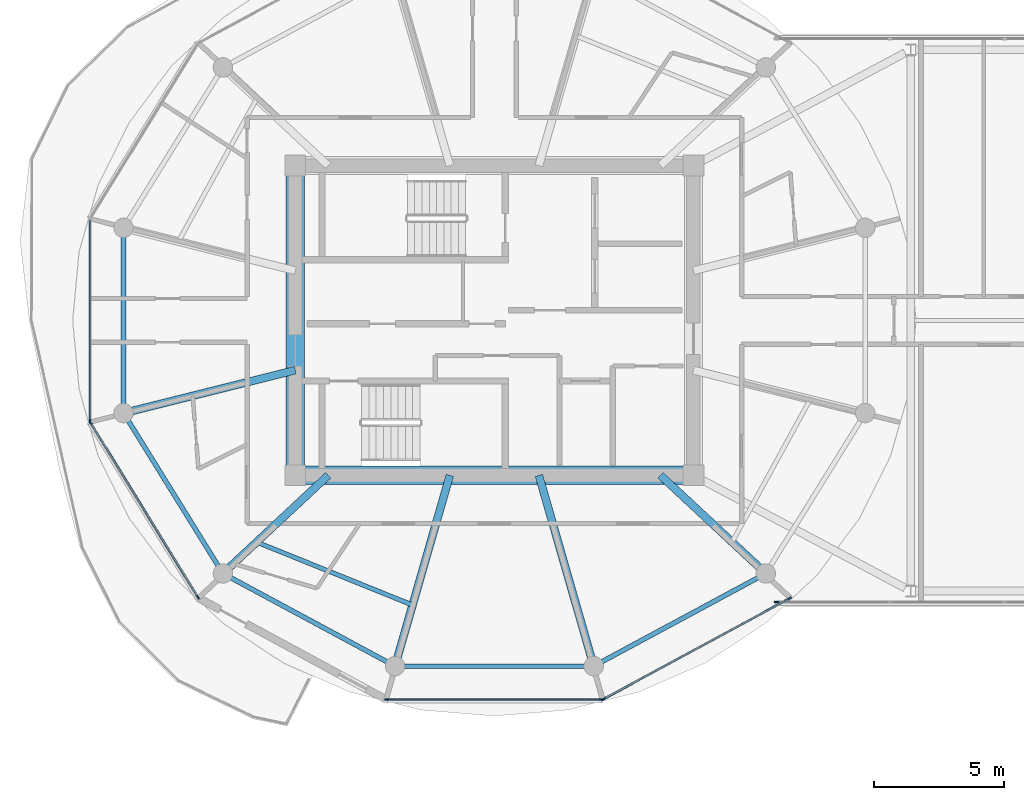
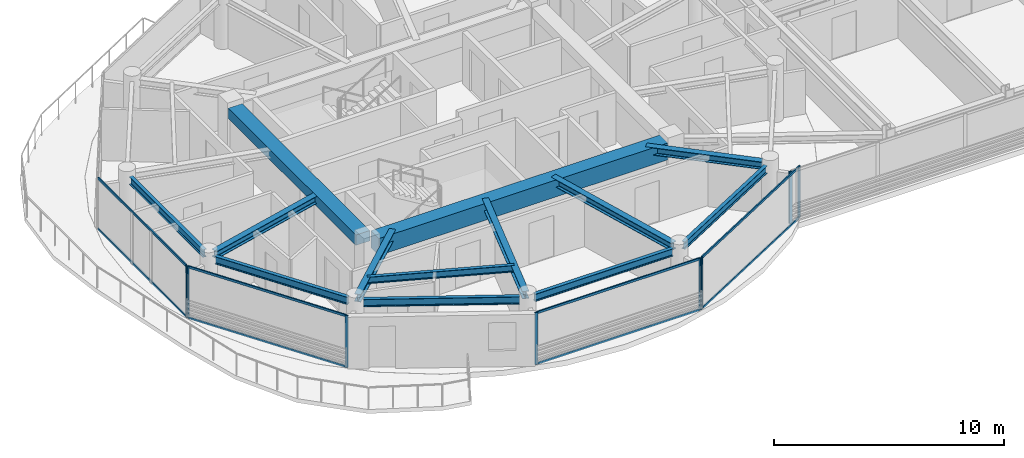
# One storey, part 3 of 24: 16 members, 13 beams, 5 elements without a shape of their own.
"""IFC4 building model written with IfcOpenShell, lengths in metres."""

from ifc_helpers import new_model, si_unit, direction, frame, origin, origin_2d, place, context, subcontext, project, spatial, rectangle, i_section, extrude, source, transform, mapped, material, layer, layer_set, material_profile, profile_set, type_object, type_shapes, element, aggregate, save


model = new_model("IFC4")

# Units and contexts
model_context = context("Model", 3, precision=1e-05, world=origin(), true_north=direction((0.0, 1.0)))
body_context = subcontext(model_context, "Body", "Model", "MODEL_VIEW")
ifc_project = project(units=[si_unit("LENGTHUNIT", "METRE"), si_unit("AREAUNIT", "SQUARE_METRE"), si_unit("VOLUMEUNIT", "CUBIC_METRE"), si_unit("PLANEANGLEUNIT", "RADIAN"), si_unit("MASSUNIT", "GRAM", prefix="KILO")], contexts=[model_context])

# Site, building, storey
site_placement = place(None, origin())
site = spatial("IfcSite", under=ifc_project, at=site_placement, CompositionType="ELEMENT")
building_placement = place(site_placement, origin())
building = spatial("IfcBuilding", under=site, at=building_placement, Name="Norrkilde Senior Care Towers", CompositionType="ELEMENT")
storey_placement = place(building_placement, frame((0.0, 0.0, 213.89990234375)))
storey = spatial("IfcBuildingStorey", under=building, at=storey_placement, Name="L66", CompositionType="ELEMENT", Elevation=213.89990234375)

# Beams
ifc_material_1 = material(Name="Concrete C60/75", Category="concrete")
ifc_material_profile_1 = material_profile(ifc_material_1, rectangle(XDim=0.699951171875, YDim=0.89990234375, at=origin_2d()), Name="RC BM 700x900")
ifc_profile_set_1 = profile_set([ifc_material_profile_1], Name="Concrete C60/75")
beam_type_1 = type_object("IfcBeamType", Name="Core Coupling Girder 700x900", PredefinedType="USERDEFINED", material=ifc_profile_set_1)
shared_shape_1 = source(origin(), body_context, "Body", "SweptSolid", [
    extrude(rectangle(XDim=0.699951171875, YDim=0.89990234375, at=origin_2d()), origin(), (0.0, 0.0, 1.0), 14.5400390625),
])
type_shapes(beam_type_1, [shared_shape_1])
beam_1_placement = place(storey_placement, frame((-35.27001953125, -5.949951171875, 2.31005859375), z_axis=(1.0, 0.0, 0.0), x_axis=(0.0, 1.0, 0.0)))
element("IfcBeam", 1, at=beam_1_placement, inside=storey, type_object=beam_type_1, Name="L66 Core W S Coupling Girder", ObjectType="GIRDER", PredefinedType="USERDEFINED", context=body_context, shape_type="MappedRepresentation", body=[
    mapped(shared_shape_1, transform((0.0, 0.0, 0.0), x_axis=(1.0, 0.0, 0.0), y_axis=(0.0, 1.0, 0.0), z_axis=(0.0, 0.0, 1.0), scale=1.0)),
])
ifc_material_profile_2 = material_profile(ifc_material_1, rectangle(XDim=0.699951171875, YDim=0.550048828125, at=origin_2d()), Name="RC BM 700x550")
ifc_profile_set_2 = profile_set([ifc_material_profile_2], Name="Concrete C60/75")
beam_type_2 = type_object("IfcBeamType", Name="Core Portal Coupling Beam 700x550", PredefinedType="USERDEFINED", material=ifc_profile_set_2)
shared_shape_2 = source(origin(), body_context, "Body", "SweptSolid", [
    extrude(rectangle(XDim=0.699951171875, YDim=0.550048828125, at=origin_2d()), origin(), (0.0, 0.0, 1.0), 11.14013671875),
])
type_shapes(beam_type_2, [shared_shape_2])
beam_2_placement = place(storey_placement, frame((-35.64990234375, -5.570068359375, 2.485107421875), z_axis=(0.0, 1.0, 0.0), x_axis=(-1.0, 0.0, 0.0)))
element("IfcBeam", 2, at=beam_2_placement, inside=storey, type_object=beam_type_2, Name="L66 Core W W Coupling Girder", ObjectType="GIRDER", PredefinedType="USERDEFINED", context=body_context, shape_type="MappedRepresentation", body=[
    mapped(shared_shape_2, transform((0.0, 0.0, 0.0), x_axis=(1.0, 0.0, 0.0), y_axis=(0.0, 1.0, 0.0), z_axis=(0.0, 0.0, 1.0), scale=1.0)),
])
ifc_material_2 = material(Name="Steel S355", Category="steel")
ifc_material_profile_3 = material_profile(ifc_material_2, i_section(OverallWidth=0.179931640625, OverallDepth=0.39990234375, WebThickness=0.008544921875, FlangeThickness=0.013427734375, FilletRadius=0.02099609375, at=origin_2d()), Name="IPE 400")
ifc_profile_set_3 = profile_set([ifc_material_profile_3], Name="Steel S355")
beam_type_3 = type_object("IfcBeamType", Name="Perimeter Ring Spandrel Z4 IPE400", PredefinedType="SPANDREL", material=ifc_profile_set_3)
shared_shape_3 = source(origin(), body_context, "Body", "SweptSolid", [
    extrude(i_section(OverallWidth=0.179931640625, OverallDepth=0.39990234375, WebThickness=0.008544921875, FlangeThickness=0.013427734375, FilletRadius=0.02099609375, at=origin_2d()), origin(), (0.0, 0.0, 1.0), 6.58056640625),
])
beam_3_placement = place(storey_placement, frame((-42.071044921875, -3.843505859375, 2.56005859375), z_axis=(0.526529583789, -0.850156807533, 0.0), x_axis=(0.850156807533, 0.526529583789, 0.0)))
element("IfcBeam", 3, at=beam_3_placement, inside=storey, type_object=beam_type_3, Name="L66 Drum W Perimeter Spandrel 07", PredefinedType="SPANDREL", context=body_context, shape_type="MappedRepresentation", body=[
    mapped(shared_shape_3, transform((0.0, 0.0, 0.0), x_axis=(1.0, 0.0, 0.0), y_axis=(0.0, 1.0, 0.0), z_axis=(0.0, 0.0, 1.0), scale=1.0)),
])
ifc_material_profile_4 = material_profile(ifc_material_2, i_section(OverallWidth=0.300048828125, OverallDepth=0.39990234375, WebThickness=0.013427734375, FlangeThickness=0.02392578125, FilletRadius=0.027099609375, at=origin_2d()), Name="HEB 400")
ifc_profile_set_4 = profile_set([ifc_material_profile_4], Name="Steel S355")
beam_type_4 = type_object("IfcBeamType", Name="Radial Floor Beam Z4 HEB400", PredefinedType="BEAM", material=ifc_profile_set_4)
shared_shape_4 = source(origin(), body_context, "Body", "SweptSolid", [
    extrude(i_section(OverallWidth=0.300048828125, OverallDepth=0.39990234375, WebThickness=0.013427734375, FlangeThickness=0.02392578125, FilletRadius=0.027099609375, at=origin_2d()), origin(), (0.0, 0.0, 1.0), 6.465087890625),
])
beam_4_placement = place(storey_placement, frame((-35.64990234375, -1.910888671875, 2.56005859375), z_axis=(-0.970195788563, -0.242322371758, 0.0), x_axis=(0.242322371758, -0.970195788563, 0.0)))
element("IfcBeam", 4, at=beam_4_placement, inside=storey, type_object=beam_type_4, Name="L66 Drum W Radial Floor Beam 07", PredefinedType="BEAM", context=body_context, shape_type="MappedRepresentation", body=[
    mapped(shared_shape_4, transform((0.0, 0.0, 0.0), x_axis=(1.0, 0.0, 0.0), y_axis=(0.0, 1.0, 0.0), z_axis=(0.0, 0.0, 1.0), scale=1.0)),
])
shared_shape_5 = source(origin(), body_context, "Body", "SweptSolid", [
    extrude(i_section(OverallWidth=0.179931640625, OverallDepth=0.39990234375, WebThickness=0.008544921875, FlangeThickness=0.013427734375, FilletRadius=0.02099609375, at=origin_2d()), origin(), (0.0, 0.0, 1.0), 6.839111328125),
])
for number, where, z_axis, x_axis, name in (
    (5, (-38.134765625, -9.881591796875, 2.56005859375), (0.880563930732, -0.473927382511, 0.0), (0.473927382511, 0.880563930732, 0.0), "L66 Drum W Perimeter Spandrel 08"),
    (6, (-23.887451171875, -13.122802734375, 2.56005859375), (0.880563930732, 0.473927382511, 0.0), (-0.473927382511, 0.880563930732, 0.0), "L66 Drum W Perimeter Spandrel 10"),
):
    element("IfcBeam", number, at=place(storey_placement, frame(where, z_axis=z_axis, x_axis=x_axis)), inside=storey, type_object=beam_type_3, Name=name, PredefinedType="SPANDREL", context=body_context, shape_type="MappedRepresentation", body=[
        mapped(shared_shape_5, transform((0.0, 0.0, 0.0), x_axis=(1.0, 0.0, 0.0), y_axis=(0.0, 1.0, 0.0), z_axis=(0.0, 0.0, 1.0), scale=1.0)),
    ])
shared_shape_6 = source(origin(), body_context, "Body", "SweptSolid", [
    extrude(i_section(OverallWidth=0.300048828125, OverallDepth=0.39990234375, WebThickness=0.013427734375, FlangeThickness=0.02392578125, FilletRadius=0.027099609375, at=origin_2d()), origin(), (0.0, 0.0, 1.0), 5.197998046875),
])
for number, where, z_axis, x_axis, name in (
    (7, (-34.3828125, -5.949951171875, 2.56005859375), (-0.731448749334, -0.681896419625, 0.0), (0.681896419625, -0.731448749334, 0.0), "L66 Drum W Radial Floor Beam 08"),
    (8, (-21.6171875, -5.949951171875, 2.56005859375), (0.731448749334, -0.681896419625, 0.0), (0.681896419625, 0.731448749334, 0.0), "L66 Drum W Radial Floor Beam 11"),
):
    element("IfcBeam", number, at=place(storey_placement, frame(where, z_axis=z_axis, x_axis=x_axis)), inside=storey, type_object=beam_type_4, Name=name, PredefinedType="BEAM", context=body_context, shape_type="MappedRepresentation", body=[
        mapped(shared_shape_6, transform((0.0, 0.0, 0.0), x_axis=(1.0, 0.0, 0.0), y_axis=(0.0, 1.0, 0.0), z_axis=(0.0, 0.0, 1.0), scale=1.0)),
    ])
shared_shape_7 = source(origin(), body_context, "Body", "SweptSolid", [
    extrude(i_section(OverallWidth=0.179931640625, OverallDepth=0.39990234375, WebThickness=0.008544921875, FlangeThickness=0.013427734375, FilletRadius=0.02099609375, at=origin_2d()), origin(), (0.0, 0.0, 1.0), 6.96533203125),
])
beam_5_placement = place(storey_placement, frame((-31.482666015625, -13.281494140625, 2.56005859375), z_axis=(1.0, 0.0, 0.0), x_axis=(0.0, 1.0, 0.0)))
element("IfcBeam", 9, at=beam_5_placement, inside=storey, type_object=beam_type_3, Name="L66 Drum W Perimeter Spandrel 09", PredefinedType="SPANDREL", context=body_context, shape_type="MappedRepresentation", body=[
    mapped(shared_shape_7, transform((0.0, 0.0, 0.0), x_axis=(1.0, 0.0, 0.0), y_axis=(0.0, 1.0, 0.0), z_axis=(0.0, 0.0, 1.0), scale=1.0)),
])
shared_shape_8 = source(origin(), body_context, "Body", "SweptSolid", [
    extrude(i_section(OverallWidth=0.300048828125, OverallDepth=0.39990234375, WebThickness=0.013427734375, FlangeThickness=0.02392578125, FilletRadius=0.027099609375, at=origin_2d()), origin(), (0.0, 0.0, 1.0), 7.29345703125),
])
type_shapes(beam_type_4, [shared_shape_4, shared_shape_6, shared_shape_8])
for number, where, z_axis, x_axis, name in (
    (10, (-29.710205078125, -5.949951171875, 2.56005859375), (-0.276263751906, -0.961081858836, 0.0), (0.961081858836, -0.276263751906, 0.0), "L66 Drum W Radial Floor Beam 09"),
    (11, (-26.289794921875, -5.949951171875, 2.56005859375), (0.276263751906, -0.961081858836, 0.0), (0.961081858836, 0.276263751906, 0.0), "L66 Drum W Radial Floor Beam 10"),
):
    element("IfcBeam", number, at=place(storey_placement, frame(where, z_axis=z_axis, x_axis=x_axis)), inside=storey, type_object=beam_type_4, Name=name, PredefinedType="BEAM", context=body_context, shape_type="MappedRepresentation", body=[
        mapped(shared_shape_8, transform((0.0, 0.0, 0.0), x_axis=(1.0, 0.0, 0.0), y_axis=(0.0, 1.0, 0.0), z_axis=(0.0, 0.0, 1.0), scale=1.0)),
    ])
shared_shape_9 = source(origin(), body_context, "Body", "SweptSolid", [
    extrude(i_section(OverallWidth=0.179931640625, OverallDepth=0.39990234375, WebThickness=0.008544921875, FlangeThickness=0.013427734375, FilletRadius=0.02099609375, at=origin_2d()), origin(), (0.0, 0.0, 1.0), 6.44775390625),
])
type_shapes(beam_type_3, [shared_shape_3, shared_shape_5, shared_shape_7, shared_shape_9])
beam_6_placement = place(storey_placement, frame((-42.247314453125, 3.223876953125, 2.56005859375), z_axis=(0.0, -1.0, 0.0), x_axis=(1.0, 0.0, 0.0)))
element("IfcBeam", 12, at=beam_6_placement, inside=storey, type_object=beam_type_3, Name="L66 Drum W Perimeter Spandrel 06", PredefinedType="SPANDREL", context=body_context, shape_type="MappedRepresentation", body=[
    mapped(shared_shape_9, transform((0.0, 0.0, 0.0), x_axis=(1.0, 0.0, 0.0), y_axis=(0.0, 1.0, 0.0), z_axis=(0.0, 0.0, 1.0), scale=1.0)),
])
ifc_material_profile_5 = material_profile(ifc_material_2, i_section(OverallWidth=0.169921875, OverallDepth=0.360107421875, WebThickness=0.008056640625, FlangeThickness=0.0126953125, FilletRadius=0.01806640625, at=origin_2d()), Name="IPE 360")
ifc_profile_set_5 = profile_set([ifc_material_profile_5], Name="Steel S355")
beam_type_5 = type_object("IfcBeamType", Name="Secondary Floor Joist IPE360", PredefinedType="JOIST", material=ifc_profile_set_5)
shared_shape_10 = source(origin(), body_context, "Body", "SweptSolid", [
    extrude(i_section(OverallWidth=0.169921875, OverallDepth=0.360107421875, WebThickness=0.008056640625, FlangeThickness=0.0126953125, FilletRadius=0.01806640625, at=origin_2d()), origin(), (0.0, 0.0, 1.0), 6.461669921875),
])
type_shapes(beam_type_5, [shared_shape_10])
beam_7_placement = place(storey_placement, frame((-37.134765625, -8.515380859375, 2.580078125), z_axis=(0.927225942298, -0.374502405772, 0.0), x_axis=(0.374502405772, 0.927225942298, 0.0)))
element("IfcBeam", 13, at=beam_7_placement, inside=storey, type_object=beam_type_5, Name="L66 Drum W Secondary Floor Joist 3", PredefinedType="JOIST", context=body_context, shape_type="MappedRepresentation", body=[
    mapped(shared_shape_10, transform((0.0, 0.0, 0.0), x_axis=(1.0, 0.0, 0.0), y_axis=(0.0, 1.0, 0.0), z_axis=(0.0, 0.0, 1.0), scale=1.0)),
])

# Curtain wall, members
ifc_material_3 = material(Name="Triple Low-E Insulated Glazing", Category="glass")
ifc_layer_1 = layer(ifc_material_3, 0.18505859375)
ifc_layer_set_1 = layer_set([ifc_layer_1], Name="Triple Low-E Insulated Glazing")
curtain_wall_type_1 = type_object("IfcCurtainWallType", Name="CW6 Zone 4 Crown Pavilion Curtain Wall", PredefinedType="NOTDEFINED", material=ifc_layer_set_1)
curtain_wall_1_placement = place(storey_placement, origin())
curtain_wall_1 = element("IfcCurtainWall", 14, at=curtain_wall_1_placement, inside=storey, type_object=curtain_wall_type_1, Name="L66 Drum W Curtain Wall 06", PredefinedType="NOTDEFINED")
ifc_material_4 = material(Name="Anodised Aluminium", Category="aluminium")
ifc_material_profile_6 = material_profile(ifc_material_4, rectangle(XDim=0.06005859375, YDim=0.1201171875, at=origin_2d()), Name="ALU TRAN 60x120")
ifc_profile_set_6 = profile_set([ifc_material_profile_6], Name="Anodised Aluminium")
member_type_1 = type_object("IfcMemberType", Name="Curtain Wall Transom Typical 60x120", PredefinedType="USERDEFINED", material=ifc_profile_set_6)
shared_shape_11 = source(origin(), body_context, "Body", "SweptSolid", [
    extrude(rectangle(XDim=0.06005859375, YDim=0.1201171875, at=origin_2d()), origin(), (0.0, 0.0, 1.0), 7.808837890625),
])
member_1_placement = place(storey_placement, frame((-39.404296875, -10.60791015625, 0.030029296875), z_axis=(-0.524250924101, 0.851563837055, 0.0), x_axis=(-0.851563837055, -0.524250924101, 0.0)))
member_1 = element("IfcMember", 15, at=member_1_placement, type_object=member_type_1, Name="CW-6 transom 1.1", ObjectType="TRANSOM", PredefinedType="USERDEFINED", context=body_context, shape_type="MappedRepresentation", body=[
    mapped(shared_shape_11, transform((0.0, 0.0, 0.0), x_axis=(1.0, 0.0, 0.0), y_axis=(0.0, 1.0, 0.0), z_axis=(0.0, 0.0, 1.0), scale=1.0)),
])
member_2_placement = place(storey_placement, frame((-39.404296875, -10.60791015625, 2.72998046875), z_axis=(-0.524250924101, 0.851563837055, 0.0), x_axis=(-0.851563837055, -0.524250924101, 0.0)))
member_2 = element("IfcMember", 16, at=member_2_placement, type_object=member_type_1, Name="CW-6 transom 1.2", ObjectType="TRANSOM", PredefinedType="USERDEFINED", context=body_context, shape_type="MappedRepresentation", body=[
    mapped(shared_shape_11, transform((0.0, 0.0, 0.0), x_axis=(1.0, 0.0, 0.0), y_axis=(0.0, 1.0, 0.0), z_axis=(0.0, 0.0, 1.0), scale=1.0)),
])

curtain_wall_2_placement = place(storey_placement, origin())
curtain_wall_2 = element("IfcCurtainWall", 17, at=curtain_wall_2_placement, inside=storey, type_object=curtain_wall_type_1, Name="L66 Drum W Curtain Wall 08", PredefinedType="NOTDEFINED")
shared_shape_12 = source(origin(), body_context, "Body", "SweptSolid", [
    extrude(rectangle(XDim=0.06005859375, YDim=0.1201171875, at=origin_2d()), origin(), (0.0, 0.0, 1.0), 8.19384765625),
])
member_3_placement = place(storey_placement, frame((-23.903076171875, -14.566162109375, 0.030029296875), z_axis=(-1.0, 0.0, 0.0), x_axis=(0.0, -1.0, 0.0)))
member_3 = element("IfcMember", 18, at=member_3_placement, type_object=member_type_1, Name="CW-6 transom 1.1", ObjectType="TRANSOM", PredefinedType="USERDEFINED", context=body_context, shape_type="MappedRepresentation", body=[
    mapped(shared_shape_12, transform((0.0, 0.0, 0.0), x_axis=(1.0, 0.0, 0.0), y_axis=(0.0, 1.0, 0.0), z_axis=(0.0, 0.0, 1.0), scale=1.0)),
])
member_4_placement = place(storey_placement, frame((-23.903076171875, -14.566162109375, 2.72998046875), z_axis=(-1.0, 0.0, 0.0), x_axis=(0.0, -1.0, 0.0)))
member_4 = element("IfcMember", 19, at=member_4_placement, type_object=member_type_1, Name="CW-6 transom 1.2", ObjectType="TRANSOM", PredefinedType="USERDEFINED", context=body_context, shape_type="MappedRepresentation", body=[
    mapped(shared_shape_12, transform((0.0, 0.0, 0.0), x_axis=(1.0, 0.0, 0.0), y_axis=(0.0, 1.0, 0.0), z_axis=(0.0, 0.0, 1.0), scale=1.0)),
])

curtain_wall_3_placement = place(storey_placement, origin())
curtain_wall_3 = element("IfcCurtainWall", 20, at=curtain_wall_3_placement, inside=storey, type_object=curtain_wall_type_1, Name="L66 Drum W Curtain Wall 09", PredefinedType="NOTDEFINED")
shared_shape_13 = source(origin(), body_context, "Body", "SweptSolid", [
    extrude(rectangle(XDim=0.06005859375, YDim=0.1201171875, at=origin_2d()), origin(), (0.0, 0.0, 1.0), 8.0673828125),
])
member_5_placement = place(storey_placement, frame((-16.686767578125, -10.694091796875, 0.030029296875), z_axis=(-0.87937750072, -0.476125205411, 0.0), x_axis=(0.476125205411, -0.87937750072, 0.0)))
member_5 = element("IfcMember", 21, at=member_5_placement, type_object=member_type_1, Name="CW-6 transom 1.1", ObjectType="TRANSOM", PredefinedType="USERDEFINED", context=body_context, shape_type="MappedRepresentation", body=[
    mapped(shared_shape_13, transform((0.0, 0.0, 0.0), x_axis=(1.0, 0.0, 0.0), y_axis=(0.0, 1.0, 0.0), z_axis=(0.0, 0.0, 1.0), scale=1.0)),
])
member_6_placement = place(storey_placement, frame((-16.686767578125, -10.694091796875, 2.72998046875), z_axis=(-0.87937750072, -0.476125205411, 0.0), x_axis=(0.476125205411, -0.87937750072, 0.0)))
member_6 = element("IfcMember", 22, at=member_6_placement, type_object=member_type_1, Name="CW-6 transom 1.2", ObjectType="TRANSOM", PredefinedType="USERDEFINED", context=body_context, shape_type="MappedRepresentation", body=[
    mapped(shared_shape_13, transform((0.0, 0.0, 0.0), x_axis=(1.0, 0.0, 0.0), y_axis=(0.0, 1.0, 0.0), z_axis=(0.0, 0.0, 1.0), scale=1.0)),
])

curtain_wall_4_placement = place(storey_placement, origin())
curtain_wall_4 = element("IfcCurtainWall", 23, at=curtain_wall_4_placement, inside=storey, type_object=curtain_wall_type_1, Name="L66 Drum W Curtain Wall 05", PredefinedType="NOTDEFINED")
shared_shape_14 = source(origin(), body_context, "Body", "SweptSolid", [
    extrude(rectangle(XDim=0.06005859375, YDim=0.1201171875, at=origin_2d()), origin(), (0.0, 0.0, 1.0), 7.67578125),
])
type_shapes(member_type_1, [shared_shape_11, shared_shape_12, shared_shape_13, shared_shape_14])
member_7_placement = place(storey_placement, frame((-43.531982421875, -3.837890625, 0.030029296875), z_axis=(0.0, 1.0, 0.0), x_axis=(-1.0, 0.0, 0.0)))
member_7 = element("IfcMember", 24, at=member_7_placement, type_object=member_type_1, Name="CW-6 transom 1.1", ObjectType="TRANSOM", PredefinedType="USERDEFINED", context=body_context, shape_type="MappedRepresentation", body=[
    mapped(shared_shape_14, transform((0.0, 0.0, 0.0), x_axis=(1.0, 0.0, 0.0), y_axis=(0.0, 1.0, 0.0), z_axis=(0.0, 0.0, 1.0), scale=1.0)),
])
member_8_placement = place(storey_placement, frame((-43.531982421875, -3.837890625, 2.72998046875), z_axis=(0.0, 1.0, 0.0), x_axis=(-1.0, 0.0, 0.0)))
member_8 = element("IfcMember", 25, at=member_8_placement, type_object=member_type_1, Name="CW-6 transom 1.2", ObjectType="TRANSOM", PredefinedType="USERDEFINED", context=body_context, shape_type="MappedRepresentation", body=[
    mapped(shared_shape_14, transform((0.0, 0.0, 0.0), x_axis=(1.0, 0.0, 0.0), y_axis=(0.0, 1.0, 0.0), z_axis=(0.0, 0.0, 1.0), scale=1.0)),
])
ifc_material_profile_7 = material_profile(ifc_material_4, rectangle(XDim=0.06494140625, YDim=0.14990234375, at=origin_2d()), Name="ALU MULL 65x150")
ifc_profile_set_7 = profile_set([ifc_material_profile_7], Name="Anodised Aluminium")
member_type_2 = type_object("IfcMemberType", Name="Curtain Wall Mullion Z3-Z4 65x150", PredefinedType="MULLION", material=ifc_profile_set_7)
shared_shape_15 = source(origin(), body_context, "Body", "SweptSolid", [
    extrude(rectangle(XDim=0.06494140625, YDim=0.14990234375, at=origin_2d()), origin(), (0.0, 0.0, 1.0), 2.760009765625),
])
type_shapes(member_type_2, [shared_shape_15])
member_9_placement = place(storey_placement, frame((-43.531982421875, -3.87060546875, 0.0), z_axis=(0.0, 0.0, 1.0), x_axis=(-1.0, 0.0, 0.0)))
member_9 = element("IfcMember", 26, at=member_9_placement, type_object=member_type_2, Name="CW-6 mullion 1", PredefinedType="MULLION", context=body_context, shape_type="MappedRepresentation", body=[
    mapped(shared_shape_15, transform((0.0, 0.0, 0.0), x_axis=(1.0, 0.0, 0.0), y_axis=(0.0, 1.0, 0.0), z_axis=(0.0, 0.0, 1.0), scale=1.0)),
])
aggregate(curtain_wall_4, [member_9, member_7, member_8])

# Member
member_10_placement = place(storey_placement, frame((-39.38720703125, -10.635498046875, 0.0), z_axis=(0.0, 0.0, 1.0), x_axis=(-0.851562727283, -0.524252726748, 0.0)))
member_10 = element("IfcMember", 27, at=member_10_placement, type_object=member_type_2, Name="CW-6 mullion 1", PredefinedType="MULLION", context=body_context, shape_type="MappedRepresentation", body=[
    mapped(shared_shape_15, transform((0.0, 0.0, 0.0), x_axis=(1.0, 0.0, 0.0), y_axis=(0.0, 1.0, 0.0), z_axis=(0.0, 0.0, 1.0), scale=1.0)),
])

member_11_placement = place(storey_placement, frame((-43.51513671875, -3.9306640625, 0.0), z_axis=(0.0, 0.0, 1.0), x_axis=(-0.851562727283, -0.524252726748, 0.0)))
member_11 = element("IfcMember", 28, at=member_11_placement, type_object=member_type_2, Name="CW-6 mullion 2", PredefinedType="MULLION", context=body_context, shape_type="MappedRepresentation", body=[
    mapped(shared_shape_15, transform((0.0, 0.0, 0.0), x_axis=(1.0, 0.0, 0.0), y_axis=(0.0, 1.0, 0.0), z_axis=(0.0, 0.0, 1.0), scale=1.0)),
])

aggregate(curtain_wall_1, [member_10, member_11, member_1, member_2])

member_12_placement = place(storey_placement, frame((-23.87060546875, -14.566162109375, 0.0), z_axis=(0.0, 0.0, 1.0), x_axis=(0.0, -1.0, 0.0)))
member_12 = element("IfcMember", 29, at=member_12_placement, type_object=member_type_2, Name="CW-6 mullion 1", PredefinedType="MULLION", context=body_context, shape_type="MappedRepresentation", body=[
    mapped(shared_shape_15, transform((0.0, 0.0, 0.0), x_axis=(1.0, 0.0, 0.0), y_axis=(0.0, 1.0, 0.0), z_axis=(0.0, 0.0, 1.0), scale=1.0)),
])

member_13_placement = place(storey_placement, frame((-32.12939453125, -14.566162109375, 0.0), z_axis=(0.0, 0.0, 1.0), x_axis=(0.0, -1.0, 0.0)))
member_13 = element("IfcMember", 30, at=member_13_placement, type_object=member_type_2, Name="CW-6 mullion 2", PredefinedType="MULLION", context=body_context, shape_type="MappedRepresentation", body=[
    mapped(shared_shape_15, transform((0.0, 0.0, 0.0), x_axis=(1.0, 0.0, 0.0), y_axis=(0.0, 1.0, 0.0), z_axis=(0.0, 0.0, 1.0), scale=1.0)),
])

aggregate(curtain_wall_2, [member_12, member_13, member_3, member_4])

member_14_placement = place(storey_placement, frame((-16.658203125, -10.6787109375, 0.0), z_axis=(0.0, 0.0, 1.0), x_axis=(0.476132676136, -0.879373455772, 0.0)))
member_14 = element("IfcMember", 31, at=member_14_placement, type_object=member_type_2, Name="CW-6 mullion 1", PredefinedType="MULLION", context=body_context, shape_type="MappedRepresentation", body=[
    mapped(shared_shape_15, transform((0.0, 0.0, 0.0), x_axis=(1.0, 0.0, 0.0), y_axis=(0.0, 1.0, 0.0), z_axis=(0.0, 0.0, 1.0), scale=1.0)),
])

member_15_placement = place(storey_placement, frame((-23.8095703125, -14.55078125, 0.0), z_axis=(0.0, 0.0, 1.0), x_axis=(0.476132676136, -0.879373455772, 0.0)))
member_15 = element("IfcMember", 32, at=member_15_placement, type_object=member_type_2, Name="CW-6 mullion 2", PredefinedType="MULLION", context=body_context, shape_type="MappedRepresentation", body=[
    mapped(shared_shape_15, transform((0.0, 0.0, 0.0), x_axis=(1.0, 0.0, 0.0), y_axis=(0.0, 1.0, 0.0), z_axis=(0.0, 0.0, 1.0), scale=1.0)),
])

aggregate(curtain_wall_3, [member_14, member_15, member_5, member_6])

# Curtain wall, member
ifc_layer_2 = layer(ifc_material_3, 0.2099609375)
ifc_layer_set_2 = layer_set([ifc_layer_2], Name="Triple Low-E Insulated Glazing")
curtain_wall_type_2 = type_object("IfcCurtainWallType", Name="CW5 Sky-Gate Bridge Curtain Wall", PredefinedType="NOTDEFINED", material=ifc_layer_set_2)
curtain_wall_5_placement = place(storey_placement, origin())
curtain_wall_5 = element("IfcCurtainWall", 33, at=curtain_wall_5_placement, inside=storey, type_object=curtain_wall_type_2, Name="L66 Sky-Gate Bridge South Curtain Wall 3", PredefinedType="NOTDEFINED")
ifc_material_profile_8 = material_profile(ifc_material_4, rectangle(XDim=0.070068359375, YDim=0.169921875, at=origin_2d()), Name="ALU MULL 70x170")
ifc_profile_set_8 = profile_set([ifc_material_profile_8], Name="Anodised Aluminium")
member_type_3 = type_object("IfcMemberType", Name="Curtain Wall Mullion Heavy 70x170", PredefinedType="MULLION", material=ifc_profile_set_8)
shared_shape_16 = source(origin(), body_context, "Body", "SweptSolid", [
    extrude(rectangle(XDim=0.070068359375, YDim=0.169921875, at=origin_2d()), origin(), (0.0, 0.0, 1.0), 2.760009765625),
])
type_shapes(member_type_3, [shared_shape_16])
member_16_placement = place(storey_placement, frame((-17.1650390625, -10.820068359375, 0.0), z_axis=(0.0, 0.0, 1.0), x_axis=(0.0, -1.0, 0.0)))
member_16 = element("IfcMember", 34, at=member_16_placement, type_object=member_type_3, Name="CW-5 mullion 4", PredefinedType="MULLION", context=body_context, shape_type="MappedRepresentation", body=[
    mapped(shared_shape_16, transform((0.0, 0.0, 0.0), x_axis=(1.0, 0.0, 0.0), y_axis=(0.0, 1.0, 0.0), z_axis=(0.0, 0.0, 1.0), scale=1.0)),
])
aggregate(curtain_wall_5, [member_16])

save(model, "model.ifc")
